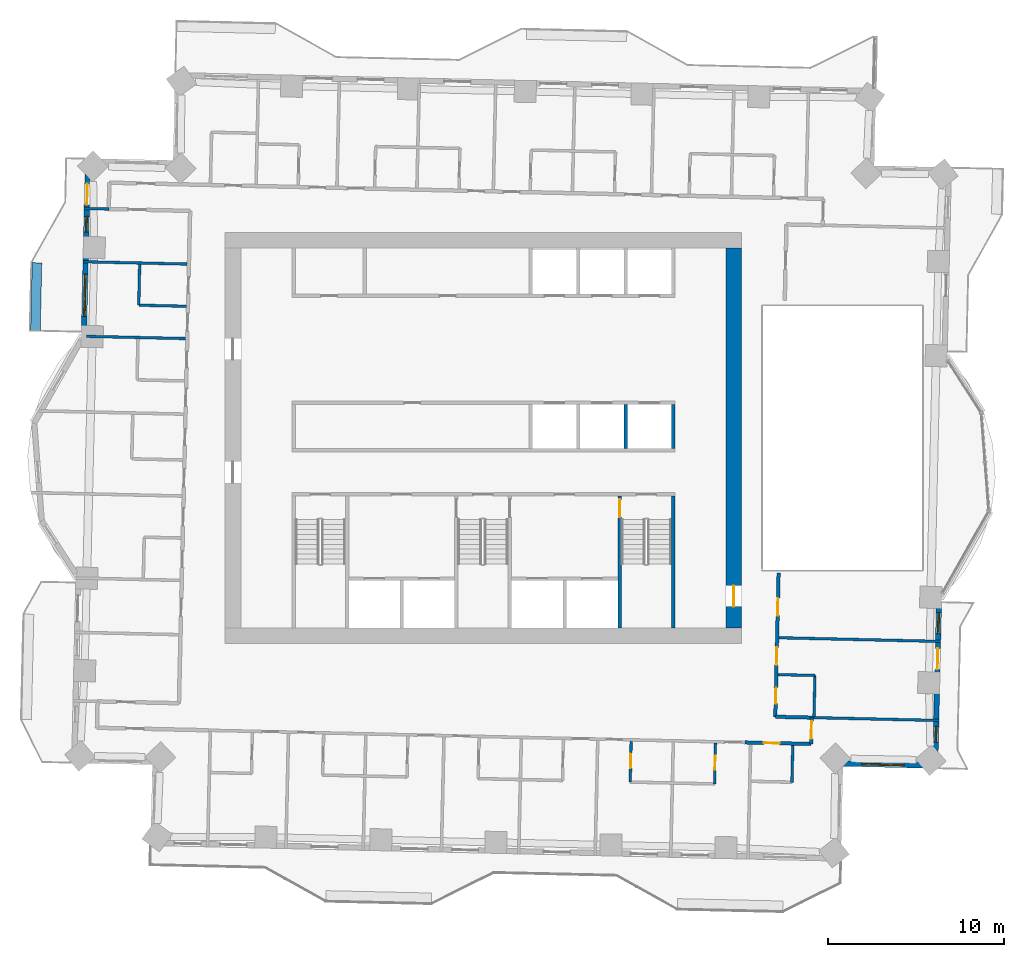
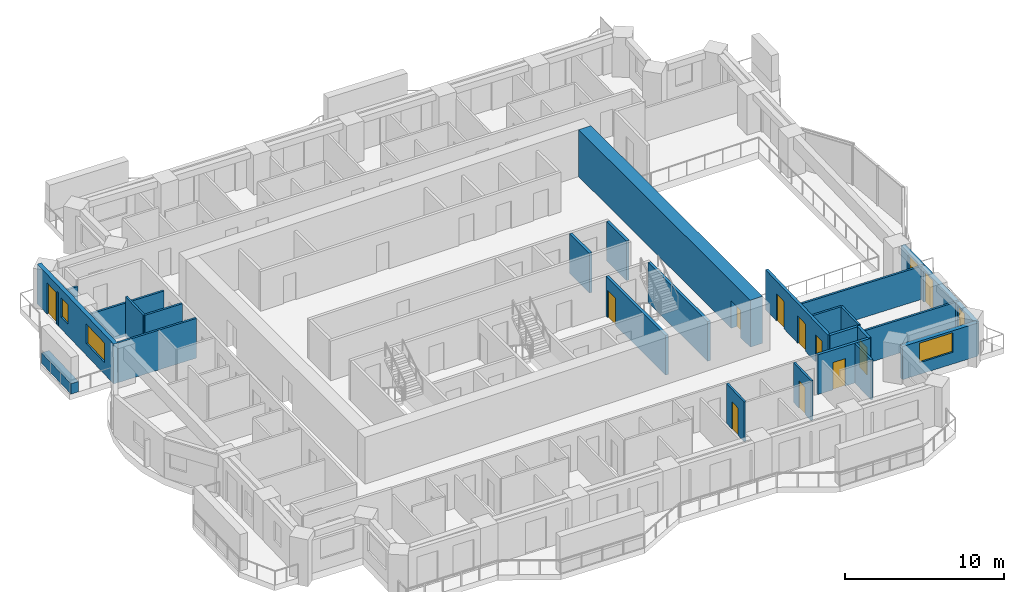
# One storey, part 7 of 14: 25 walls, 11 doors, 5 windows, 16 openings.
"""IFC4 building model written with IfcOpenShell, lengths in metres."""

from ifc_helpers import new_model, si_unit, direction, frame, frame_2d, origin, place, context, subcontext, project, spatial, rectangle, extrude, material, layer, layer_set, type_object, element, fill, save


model = new_model("IFC4")

# Units and contexts
model_context = context("Model", 3, precision=1e-05, world=origin(), true_north=direction((0.0, 1.0)))
body_context = subcontext(model_context, "Body", "Model", "MODEL_VIEW")
ifc_project = project(units=[si_unit("LENGTHUNIT", "METRE"), si_unit("AREAUNIT", "SQUARE_METRE"), si_unit("VOLUMEUNIT", "CUBIC_METRE"), si_unit("PLANEANGLEUNIT", "RADIAN"), si_unit("MASSUNIT", "GRAM", prefix="KILO")], contexts=[model_context])

# Site, building, storey
site_placement = place(None, origin())
site = spatial("IfcSite", under=ifc_project, at=site_placement, CompositionType="ELEMENT")
building_placement = place(site_placement, origin())
building = spatial("IfcBuilding", under=site, at=building_placement, Name="Mangrove Gate Tower", CompositionType="ELEMENT")
storey_placement = place(building_placement, frame((0.0, 0.0, 167.10009765625)))
storey = spatial("IfcBuildingStorey", under=building, at=storey_placement, Name="L42", CompositionType="ELEMENT", Elevation=167.10009765625)

# Walls
ifc_material_1 = material(Name="Concrete C60/75", Category="concrete")
ifc_layer_1 = layer(ifc_material_1, 0.199951171875)
ifc_layer_set_1 = layer_set([ifc_layer_1], Name="Core shaft wall 200 C60/75")
wall_type_1 = type_object("IfcWallType", Name="Core shaft wall 200 C60/75", PredefinedType="SHEAR", material=ifc_layer_set_1)
for number, where, z_axis, x_axis, name in (
    (1, (8.10009765625, -0.60009765625, 0.0), (0.0, 0.0, 1.0), (0.0, 1.0, 0.0), "WALL-L42-CORE-22"),
    (2, (10.800048828125, -0.60009765625, 0.0), (0.0, 0.0, 1.0), (0.0, 1.0, 0.0), "WALL-L42-CORE-23"),
):
    element("IfcWall", number, at=place(storey_placement, frame(where, z_axis=z_axis, x_axis=x_axis)), inside=storey, type_object=wall_type_1, Name=name, PredefinedType="SHEAR", context=body_context, shape_type="SweptSolid", body=[
        extrude(rectangle(XDim=2.5, YDim=0.199951171875, at=frame_2d((1.25, 0.0))), origin(), (0.0, 0.0, 1.0), 3.0498046875),
    ])

# Wall, opening, door
ifc_material_2 = material(Name="Concrete C60/75", Category="concrete")
ifc_layer_2 = layer(ifc_material_2, 0.199951171875)
ifc_layer_set_2 = layer_set([ifc_layer_2], Name="Core stair wall 200 C60/75")
wall_type_2 = type_object("IfcWallType", Name="Core stair wall 200 C60/75", PredefinedType="SHEAR", material=ifc_layer_set_2)
wall_1_placement = place(storey_placement, frame((7.75, -10.800048828125, 0.0), z_axis=(0.0, 0.0, 1.0), x_axis=(0.0, 1.0, 0.0)))
wall_1 = element("IfcWall", 3, at=wall_1_placement, inside=storey, type_object=wall_type_2, Name="WALL-L42-CORE-13", PredefinedType="SHEAR", context=body_context, shape_type="SweptSolid", body=[
    extrude(rectangle(XDim=7.5, YDim=0.199951171875, at=frame_2d((3.75, 0.0))), origin(), (0.0, 0.0, 1.0), 3.0498046875),
])
opening_1_placement = place(wall_1_placement, frame((6.300048828125, 0.0, 0.0)))
opening_1 = element("IfcOpeningElement", 4, at=opening_1_placement, cuts=wall_1, Name="Opening STD10", PredefinedType="OPENING", context=body_context, shape_type="SweptSolid", body=[
    extrude(rectangle(XDim=1.0, YDim=2.10009765625, at=frame_2d((0.5, 1.050048828125))), frame((0.0, 0.10986328125, 0.0), z_axis=(0.0, -1.0, 0.0), x_axis=(1.0, 0.0, 0.0)), (0.0, 0.0, 1.0), 0.219970703125),
])
ifc_material_3 = material(Name="Fire-rated steel door set", Category="steel")
door_type_1 = type_object("IfcDoorType", Name="Stair door FD60 1000x2100", OperationType="SINGLE_SWING_RIGHT", PredefinedType="DOOR", material=ifc_material_3)
door_1_placement = place(opening_1_placement, origin())
door_1 = element("IfcDoor", 5, at=door_1_placement, inside=storey, type_object=door_type_1, Name="Stair door Stair 3 from fire-fighting lobby", OperationType="SINGLE_SWING_RIGHT", OverallHeight=2.10009765625, OverallWidth=1.0, PredefinedType="DOOR", context=body_context, shape_type="SweptSolid", body=[
    extrude(rectangle(XDim=1.0, YDim=2.10009765625, at=frame_2d((0.5, 1.050048828125))), frame((0.0, 0.02490234375, 0.0), z_axis=(0.0, -1.0, 0.0), x_axis=(1.0, 0.0, 0.0)), (0.0, 0.0, 1.0), 0.050048828125),
])
fill(opening_1, door_1)

# Wall
wall_2_placement = place(storey_placement, frame((10.800048828125, -10.800048828125, 0.0), z_axis=(0.0, 0.0, 1.0), x_axis=(0.0, 1.0, 0.0)))
element("IfcWall", 6, at=wall_2_placement, inside=storey, type_object=wall_type_2, Name="WALL-L42-CORE-14", PredefinedType="SHEAR", context=body_context, shape_type="SweptSolid", body=[
    extrude(rectangle(XDim=7.5, YDim=0.199951171875, at=frame_2d((3.75, 0.0))), origin(), (0.0, 0.0, 1.0), 3.0498046875),
])

# Wall, opening, door
ifc_material_4 = material(Name="Concrete C60/75", Category="concrete")
ifc_layer_3 = layer(ifc_material_4, 0.89990234375)
ifc_layer_set_3 = layer_set([ifc_layer_3], Name="Core wall 900 C60/75")
wall_type_3 = type_object("IfcWallType", Name="Core wall 900 C60/75", PredefinedType="SHEAR", material=ifc_layer_set_3)
wall_3_placement = place(storey_placement, frame((14.25, -10.800048828125, 0.0), z_axis=(0.0, 0.0, 1.0), x_axis=(0.0, 1.0, 0.0)))
wall_3 = element("IfcWall", 7, at=wall_3_placement, inside=storey, type_object=wall_type_3, Name="WALL-L42-CORE-4", PredefinedType="SHEAR", context=body_context, shape_type="SweptSolid", body=[
    extrude(rectangle(XDim=21.60009765625, YDim=0.89990234375, at=frame_2d((10.800048828125, 0.0))), origin(), (0.0, 0.0, 1.0), 3.599853515625),
])
opening_2_placement = place(wall_3_placement, frame((1.199951171875, 0.0, 0.0)))
opening_2 = element("IfcOpeningElement", 8, at=opening_2_placement, cuts=wall_3, Name="Opening CD", PredefinedType="OPENING", context=body_context, shape_type="SweptSolid", body=[
    extrude(rectangle(XDim=1.199951171875, YDim=2.10009765625, at=frame_2d((0.60009765625, 1.050048828125))), frame((0.0, 0.4599609375, 0.0), z_axis=(0.0, -1.0, 0.0), x_axis=(1.0, 0.0, 0.0)), (0.0, 0.0, 1.0), 0.919921875),
])
ifc_material_5 = material(Name="Fire-rated steel door set", Category="steel")
door_type_2 = type_object("IfcDoorType", Name="Core ring door FD60 1200x2100", OperationType="DOUBLE_DOOR_SINGLE_SWING", PredefinedType="DOOR", material=ifc_material_5)
door_2_placement = place(opening_2_placement, origin())
door_2 = element("IfcDoor", 9, at=door_2_placement, inside=storey, type_object=door_type_2, Name="Core ring door E1", OperationType="DOUBLE_DOOR_SINGLE_SWING", OverallHeight=2.10009765625, OverallWidth=1.199951171875, PredefinedType="DOOR", context=body_context, shape_type="SweptSolid", body=[
    extrude(rectangle(XDim=1.199951171875, YDim=2.10009765625, at=frame_2d((0.60009765625, 1.050048828125))), frame((0.0, 0.02490234375, 0.0), z_axis=(0.0, -1.0, 0.0), x_axis=(1.0, 0.0, 0.0)), (0.0, 0.0, 1.0), 0.050048828125),
])
fill(opening_2, door_2)

ifc_material_6 = material(Name="Gypsum board on steel stud, EI 60", Category="steel")
ifc_layer_4 = layer(ifc_material_6, 0.199951171875)
ifc_layer_set_4 = layer_set([ifc_layer_4], Name="Corridor wall EI 60")
wall_type_4 = type_object("IfcWallType", Name="Corridor wall EI 60", PredefinedType="PARTITIONING", material=ifc_layer_set_4)
wall_4_placement = place(storey_placement, frame((18.64697265625, -17.4150390625, 0.0), z_axis=(0.0, 0.0, 1.0), x_axis=(0.022617910375, 0.999744182344, 0.0)))
wall_4 = element("IfcWall", 10, at=wall_4_placement, inside=storey, type_object=wall_type_4, Name="WALL-L42-023", PredefinedType="PARTITIONING", context=body_context, shape_type="SweptSolid", body=[
    extrude(rectangle(XDim=1.50048828125, YDim=0.199951171875, at=frame_2d((0.750244140625, 0.0))), origin(), (0.0, 0.0, 1.0), 3.0498046875),
])
opening_3_placement = place(wall_4_placement, frame((0.300048828125, 0.0, 0.0)))
opening_3 = element("IfcOpeningElement", 11, at=opening_3_placement, cuts=wall_4, Name="Opening AD", PredefinedType="OPENING", context=body_context, shape_type="SweptSolid", body=[
    extrude(rectangle(XDim=1.0, YDim=2.10009765625, at=frame_2d((0.5, 1.050048828125))), frame((0.0, 0.10986328125, 0.0), z_axis=(0.0, -1.0, 0.0), x_axis=(1.0, 0.0, 0.0)), (0.0, 0.0, 1.0), 0.219970703125),
])
ifc_material_7 = material(Name="Timber door leaf", Category="wood")
door_type_3 = type_object("IfcDoorType", Name="Amenity door 1000", OperationType="SINGLE_SWING_LEFT", PredefinedType="DOOR", material=ifc_material_7)
door_3_placement = place(opening_3_placement, origin())
door_3 = element("IfcDoor", 12, at=door_3_placement, inside=storey, type_object=door_type_3, Name="DOOR-L42-LNG-c3a", OperationType="SINGLE_SWING_RIGHT", OverallHeight=2.10009765625, OverallWidth=1.0, PredefinedType="DOOR", context=body_context, shape_type="SweptSolid", body=[
    extrude(rectangle(XDim=1.0, YDim=2.10009765625, at=frame_2d((0.5, 1.050048828125))), frame((0.0, 0.02490234375, 0.0), z_axis=(0.0, -1.0, 0.0), x_axis=(1.0, 0.0, 0.0)), (0.0, 0.0, 1.0), 0.050048828125),
])
fill(opening_3, door_3)

wall_5_placement = place(storey_placement, frame((14.8798828125, -17.324951171875, 0.0), z_axis=(0.0, 0.0, 1.0), x_axis=(0.999739622, -0.022818593369, 0.0)))
wall_5 = element("IfcWall", 13, at=wall_5_placement, inside=storey, type_object=wall_type_4, Name="WALL-L42-026", PredefinedType="PARTITIONING", context=body_context, shape_type="SweptSolid", body=[
    extrude(rectangle(XDim=3.76611328125, YDim=0.199951171875, at=frame_2d((1.883056640625, 0.0))), origin(), (0.0, 0.0, 1.0), 3.0498046875),
])
opening_4_placement = place(wall_5_placement, frame((1.077880859375, 0.0, 0.0)))
opening_4 = element("IfcOpeningElement", 14, at=opening_4_placement, cuts=wall_5, Name="Opening SD", PredefinedType="OPENING", context=body_context, shape_type="SweptSolid", body=[
    extrude(rectangle(XDim=0.89990234375, YDim=2.10009765625, at=frame_2d((0.449951171875, 1.050048828125))), frame((0.0, 0.10986328125, 0.0), z_axis=(0.0, -1.0, 0.0), x_axis=(1.0, 0.0, 0.0)), (0.0, 0.0, 1.0), 0.219970703125),
])
ifc_material_8 = material(Name="Timber door leaf", Category="wood")
door_type_4 = type_object("IfcDoorType", Name="Service room door 900", OperationType="SINGLE_SWING_LEFT", PredefinedType="DOOR", material=ifc_material_8)
door_4_placement = place(opening_4_placement, origin())
door_4 = element("IfcDoor", 15, at=door_4_placement, inside=storey, type_object=door_type_4, Name="DOOR-L42-LIN-c3a", OperationType="SINGLE_SWING_LEFT", OverallHeight=2.10009765625, OverallWidth=0.89990234375, PredefinedType="DOOR", context=body_context, shape_type="SweptSolid", body=[
    extrude(rectangle(XDim=0.89990234375, YDim=2.10009765625, at=frame_2d((0.449951171875, 1.050048828125))), frame((0.0, 0.02490234375, 0.0), z_axis=(0.0, -1.0, 0.0), x_axis=(1.0, 0.0, 0.0)), (0.0, 0.0, 1.0), 0.050048828125),
])
fill(opening_4, door_4)

# Wall, openings, doors
wall_6_placement = place(storey_placement, frame((16.611083984375, -15.867919921875, 0.0), z_axis=(0.0, 0.0, 1.0), x_axis=(0.022698399288, 0.999742358145, 0.0)))
wall_6 = element("IfcWall", 16, at=wall_6_placement, inside=storey, type_object=wall_type_4, Name="WALL-L42-028", PredefinedType="PARTITIONING", context=body_context, shape_type="SweptSolid", body=[
    extrude(rectangle(XDim=8.196044921875, YDim=0.199951171875, at=frame_2d((4.09814453125, 0.0))), origin(), (0.0, 0.0, 1.0), 3.0498046875),
])
opening_5_placement = place(wall_6_placement, frame((2.949951171875, 0.0, 0.0)))
opening_5 = element("IfcOpeningElement", 17, at=opening_5_placement, cuts=wall_6, Name="Opening AD", PredefinedType="OPENING", context=body_context, shape_type="SweptSolid", body=[
    extrude(rectangle(XDim=1.0, YDim=2.10009765625, at=frame_2d((0.5, 1.050048828125))), frame((0.0, 0.10986328125, 0.0), z_axis=(0.0, -1.0, 0.0), x_axis=(1.0, 0.0, 0.0)), (0.0, 0.0, 1.0), 0.219970703125),
])
opening_6_placement = place(wall_6_placement, frame((0.75, 0.0, 0.0)))
opening_6 = element("IfcOpeningElement", 18, at=opening_6_placement, cuts=wall_6, Name="Opening SD", PredefinedType="OPENING", context=body_context, shape_type="SweptSolid", body=[
    extrude(rectangle(XDim=0.89990234375, YDim=2.10009765625, at=frame_2d((0.449951171875, 1.050048828125))), frame((0.0, 0.10986328125, 0.0), z_axis=(0.0, -1.0, 0.0), x_axis=(1.0, 0.0, 0.0)), (0.0, 0.0, 1.0), 0.219970703125),
])
opening_7_placement = place(wall_6_placement, frame((5.760986328125, 0.0, 0.0)))
opening_7 = element("IfcOpeningElement", 19, at=opening_7_placement, cuts=wall_6, Name="Opening AD", PredefinedType="OPENING", context=body_context, shape_type="SweptSolid", body=[
    extrude(rectangle(XDim=1.0, YDim=2.10009765625, at=frame_2d((0.5, 1.050048828125))), frame((0.0, 0.10986328125, 0.0), z_axis=(0.0, -1.0, 0.0), x_axis=(1.0, 0.0, 0.0)), (0.0, 0.0, 1.0), 0.219970703125),
])
door_5_placement = place(opening_5_placement, origin())
door_5 = element("IfcDoor", 20, at=door_5_placement, inside=storey, type_object=door_type_3, Name="DOOR-L42-KIT-c3a", OperationType="SINGLE_SWING_LEFT", OverallHeight=2.10009765625, OverallWidth=1.0, PredefinedType="DOOR", context=body_context, shape_type="SweptSolid", body=[
    extrude(rectangle(XDim=1.0, YDim=2.10009765625, at=frame_2d((0.5, 1.050048828125))), frame((0.0, 0.02490234375, 0.0), z_axis=(0.0, -1.0, 0.0), x_axis=(1.0, 0.0, 0.0)), (0.0, 0.0, 1.0), 0.050048828125),
])
fill(opening_5, door_5)
door_6_placement = place(opening_7_placement, origin())
door_6 = element("IfcDoor", 21, at=door_6_placement, inside=storey, type_object=door_type_3, Name="DOOR-L42-STU-c3a", OperationType="SINGLE_SWING_RIGHT", OverallHeight=2.10009765625, OverallWidth=1.0, PredefinedType="DOOR", context=body_context, shape_type="SweptSolid", body=[
    extrude(rectangle(XDim=1.0, YDim=2.10009765625, at=frame_2d((0.5, 1.050048828125))), frame((0.0, 0.02490234375, 0.0), z_axis=(0.0, -1.0, 0.0), x_axis=(1.0, 0.0, 0.0)), (0.0, 0.0, 1.0), 0.050048828125),
])
fill(opening_7, door_6)
door_7_placement = place(opening_6_placement, origin())
door_7 = element("IfcDoor", 22, at=door_7_placement, inside=storey, type_object=door_type_4, Name="DOOR-L42-LIN-c3b", OperationType="SINGLE_SWING_RIGHT", OverallHeight=2.10009765625, OverallWidth=0.89990234375, PredefinedType="DOOR", context=body_context, shape_type="SweptSolid", body=[
    extrude(rectangle(XDim=0.89990234375, YDim=2.10009765625, at=frame_2d((0.449951171875, 1.050048828125))), frame((0.0, 0.02490234375, 0.0), z_axis=(0.0, -1.0, 0.0), x_axis=(1.0, 0.0, 0.0)), (0.0, 0.0, 1.0), 0.050048828125),
])
fill(opening_6, door_7)

# Wall
wall_7_placement = place(storey_placement, frame((16.612060546875, -15.864013671875, 0.0), z_axis=(0.0, 0.0, 1.0), x_axis=(0.999742931749, -0.02267312106, 0.0)))
element("IfcWall", 23, at=wall_7_placement, inside=storey, type_object=wall_type_4, Name="WALL-L42-032", PredefinedType="PARTITIONING", context=body_context, shape_type="SweptSolid", body=[
    extrude(rectangle(XDim=2.0673828125, YDim=0.199951171875, at=frame_2d((1.03369140625, 0.0))), origin(), (0.0, 0.0, 1.0), 3.0498046875),
])

# Wall, openings, door, windows
ifc_material_9 = material(Name="Limestone", Category="masonry")
ifc_layer_5 = layer(ifc_material_9, 0.0400390625, Name="Limestone cladding")
ifc_material_10 = material(Name="Ventilated air gap")
ifc_layer_6 = layer(ifc_material_10, 0.0400390625, Name="Ventilated cavity")
ifc_material_11 = material(Name="Mineral wool insulation")
ifc_layer_7 = layer(ifc_material_11, 0.06005859375, Name="Insulation")
ifc_material_12 = material(Name="Breather membrane")
ifc_layer_8 = layer(ifc_material_12, 0.001953125, Name="Breather membrane")
ifc_material_13 = material(Name="Concrete C20/25 blockwork", Category="masonry")
ifc_layer_9 = layer(ifc_material_13, 0.14990234375, Name="Blockwork backing wall")
ifc_material_14 = material(Name="Gypsum plaster")
ifc_layer_10 = layer(ifc_material_14, 0.008056640625, Name="Internal plaster")
ifc_layer_set_5 = layer_set([ifc_layer_5, ifc_layer_6, ifc_layer_7, ifc_layer_8, ifc_layer_9, ifc_layer_10], Name="External wall 300 limestone cladding")
wall_type_5 = type_object("IfcWallType", Name="External wall 300 limestone cladding", PredefinedType="SOLIDWALL", material=ifc_layer_set_5)
wall_8_placement = place(storey_placement, frame((25.7099609375, -18.65087890625, 0.0), z_axis=(0.0, 0.0, 1.0), x_axis=(0.02274444447, 0.999741311663, 0.0)))
wall_8 = element("IfcWall", 24, at=wall_8_placement, inside=storey, type_object=wall_type_5, Name="WALL-L42-E0", PredefinedType="SOLIDWALL", context=body_context, shape_type="SweptSolid", body=[
    extrude(rectangle(XDim=9.62841796875, YDim=0.300048828125, at=frame_2d((4.814208984375, 0.0))), origin(), (0.0, 0.0, 1.0), 2.5498046875),
])
opening_8_placement = place(wall_8_placement, frame((1.3369140625, 0.0, 0.89990234375)))
opening_8 = element("IfcOpeningElement", 25, at=opening_8_placement, cuts=wall_8, Name="Opening W5", PredefinedType="OPENING", context=body_context, shape_type="SweptSolid", body=[
    extrude(rectangle(XDim=0.89990234375, YDim=1.5, at=frame_2d((0.449951171875, 0.75))), frame((0.0, 0.159912109375, 0.0), z_axis=(0.0, -1.0, 0.0), x_axis=(1.0, 0.0, 0.0)), (0.0, 0.0, 1.0), 0.320068359375),
])
opening_9_placement = place(wall_8_placement, frame((5.48095703125, 0.0, 0.0)))
opening_9 = element("IfcOpeningElement", 26, at=opening_9_placement, cuts=wall_8, Name="Opening BD2", PredefinedType="OPENING", context=body_context, shape_type="SweptSolid", body=[
    extrude(rectangle(XDim=1.199951171875, YDim=2.39990234375, at=frame_2d((0.60009765625, 1.199951171875))), frame((0.0, 0.159912109375, 0.0), z_axis=(0.0, -1.0, 0.0), x_axis=(1.0, 0.0, 0.0)), (0.0, 0.0, 1.0), 0.320068359375),
])
opening_10_placement = place(wall_8_placement, frame((7.511962890625, 0.0, 0.89990234375)))
opening_10 = element("IfcOpeningElement", 27, at=opening_10_placement, cuts=wall_8, Name="Opening W1", PredefinedType="OPENING", context=body_context, shape_type="SweptSolid", body=[
    extrude(rectangle(XDim=1.199951171875, YDim=1.5, at=frame_2d((0.60009765625, 0.75))), frame((0.0, 0.159912109375, 0.0), z_axis=(0.0, -1.0, 0.0), x_axis=(1.0, 0.0, 0.0)), (0.0, 0.0, 1.0), 0.320068359375),
])
ifc_material_15 = material(Name="Aluminium frame with laminated clear glass", Category="aluminium")
door_type_5 = type_object("IfcDoorType", Name="Balcony sliding door 1200x2400", OperationType="SLIDING_TO_LEFT", PredefinedType="DOOR", material=ifc_material_15)
door_8_placement = place(opening_9_placement, origin())
door_8 = element("IfcDoor", 28, at=door_8_placement, inside=storey, type_object=door_type_5, Name="DOOR-L42-E0-2", OperationType="SLIDING_TO_LEFT", OverallHeight=2.39990234375, OverallWidth=1.199951171875, PredefinedType="DOOR", context=body_context, shape_type="SweptSolid", body=[
    extrude(rectangle(XDim=1.199951171875, YDim=2.39990234375, at=frame_2d((0.60009765625, 1.199951171875))), frame((0.0, 0.02490234375, 0.0), z_axis=(0.0, -1.0, 0.0), x_axis=(1.0, 0.0, 0.0)), (0.0, 0.0, 1.0), 0.050048828125),
])
fill(opening_9, door_8)
ifc_material_16 = material(Name="Aluminium frame with double-glazed low-e glass", Category="aluminium")
window_type_1 = type_object("IfcWindowType", Name="Narrow window 900x1500", PartitioningType="SINGLE_PANEL", PredefinedType="WINDOW", material=ifc_material_16)
window_1_placement = place(opening_8_placement, origin())
window_1 = element("IfcWindow", 29, at=window_1_placement, inside=storey, type_object=window_type_1, Name="WIN-L42-E0-1", OverallHeight=1.5, OverallWidth=0.89990234375, PartitioningType="SINGLE_PANEL", PredefinedType="WINDOW", context=body_context, shape_type="SweptSolid", body=[
    extrude(rectangle(XDim=0.89990234375, YDim=1.5, at=frame_2d((0.449951171875, 0.75))), frame((0.0, 0.030029296875, 0.0), z_axis=(0.0, -1.0, 0.0), x_axis=(1.0, 0.0, 0.0)), (0.0, 0.0, 1.0), 0.06005859375),
])
fill(opening_8, window_1)
ifc_material_17 = material(Name="Aluminium frame with double-glazed low-e glass", Category="aluminium")
window_type_2 = type_object("IfcWindowType", Name="Side lite 1200x1500", PartitioningType="SINGLE_PANEL", PredefinedType="WINDOW", material=ifc_material_17)
window_2_placement = place(opening_10_placement, origin())
window_2 = element("IfcWindow", 30, at=window_2_placement, inside=storey, type_object=window_type_2, Name="WIN-L42-E0-3", OverallHeight=1.5, OverallWidth=1.199951171875, PartitioningType="SINGLE_PANEL", PredefinedType="WINDOW", context=body_context, shape_type="SweptSolid", body=[
    extrude(rectangle(XDim=1.199951171875, YDim=1.5, at=frame_2d((0.60009765625, 0.75))), frame((0.0, 0.030029296875, 0.0), z_axis=(0.0, -1.0, 0.0), x_axis=(1.0, 0.0, 0.0)), (0.0, 0.0, 1.0), 0.06005859375),
])
fill(opening_10, window_2)

wall_9_placement = place(storey_placement, frame((-22.5009765625, 15.7509765625, 0.0), z_axis=(0.0, 0.0, 1.0), x_axis=(-0.022737995473, -0.999741458359, 0.0)))
wall_9 = element("IfcWall", 31, at=wall_9_placement, inside=storey, type_object=wall_type_5, Name="WALL-L42-W8", PredefinedType="SOLIDWALL", context=body_context, shape_type="SweptSolid", body=[
    extrude(rectangle(XDim=10.028564453125, YDim=0.300048828125, at=frame_2d((5.01416015625, 0.0))), origin(), (0.0, 0.0, 1.0), 3.0498046875),
])
opening_11_placement = place(wall_9_placement, frame((1.287109375, 0.0, 0.0)))
opening_11 = element("IfcOpeningElement", 32, at=opening_11_placement, cuts=wall_9, Name="Opening BD2", PredefinedType="OPENING", context=body_context, shape_type="SweptSolid", body=[
    extrude(rectangle(XDim=1.199951171875, YDim=2.39990234375, at=frame_2d((0.60009765625, 1.199951171875))), frame((0.0, 0.159912109375, 0.0), z_axis=(0.0, -1.0, 0.0), x_axis=(1.0, 0.0, 0.0)), (0.0, 0.0, 1.0), 0.320068359375),
])
opening_12_placement = place(wall_9_placement, frame((3.14404296875, 0.0, 0.89990234375)))
opening_12 = element("IfcOpeningElement", 33, at=opening_12_placement, cuts=wall_9, Name="Opening W5", PredefinedType="OPENING", context=body_context, shape_type="SweptSolid", body=[
    extrude(rectangle(XDim=0.89990234375, YDim=1.5, at=frame_2d((0.449951171875, 0.75))), frame((0.0, 0.159912109375, 0.0), z_axis=(0.0, -1.0, 0.0), x_axis=(1.0, 0.0, 0.0)), (0.0, 0.0, 1.0), 0.320068359375),
])
opening_13_placement = place(wall_9_placement, frame((6.43701171875, 0.0, 0.89990234375)))
opening_13 = element("IfcOpeningElement", 34, at=opening_13_placement, cuts=wall_9, Name="Opening W2", PredefinedType="OPENING", context=body_context, shape_type="SweptSolid", body=[
    extrude(rectangle(XDim=2.39990234375, YDim=1.5, at=frame_2d((1.199951171875, 0.75))), frame((0.0, 0.159912109375, 0.0), z_axis=(0.0, -1.0, 0.0), x_axis=(1.0, 0.0, 0.0)), (0.0, 0.0, 1.0), 0.320068359375),
])
door_9_placement = place(opening_11_placement, origin())
door_9 = element("IfcDoor", 35, at=door_9_placement, inside=storey, type_object=door_type_5, Name="DOOR-L42-W8-1", OperationType="SLIDING_TO_LEFT", OverallHeight=2.39990234375, OverallWidth=1.199951171875, PredefinedType="DOOR", context=body_context, shape_type="SweptSolid", body=[
    extrude(rectangle(XDim=1.199951171875, YDim=2.39990234375, at=frame_2d((0.60009765625, 1.199951171875))), frame((0.0, 0.02490234375, 0.0), z_axis=(0.0, -1.0, 0.0), x_axis=(1.0, 0.0, 0.0)), (0.0, 0.0, 1.0), 0.050048828125),
])
fill(opening_11, door_9)
ifc_material_18 = material(Name="Aluminium frame with double-glazed low-e glass", Category="aluminium")
window_type_3 = type_object("IfcWindowType", Name="Corner room window 2400x1500", PartitioningType="DOUBLE_PANEL_VERTICAL", PredefinedType="WINDOW", material=ifc_material_18)
window_3_placement = place(opening_13_placement, origin())
window_3 = element("IfcWindow", 36, at=window_3_placement, inside=storey, type_object=window_type_3, Name="WIN-L42-W8-3", OverallHeight=1.5, OverallWidth=2.39990234375, PartitioningType="DOUBLE_PANEL_VERTICAL", PredefinedType="WINDOW", context=body_context, shape_type="SweptSolid", body=[
    extrude(rectangle(XDim=2.39990234375, YDim=1.5, at=frame_2d((1.199951171875, 0.75))), frame((0.0, 0.030029296875, 0.0), z_axis=(0.0, -1.0, 0.0), x_axis=(1.0, 0.0, 0.0)), (0.0, 0.0, 1.0), 0.06005859375),
])
fill(opening_13, window_3)
window_4_placement = place(opening_12_placement, origin())
window_4 = element("IfcWindow", 37, at=window_4_placement, inside=storey, type_object=window_type_1, Name="WIN-L42-W8-2", OverallHeight=1.5, OverallWidth=0.89990234375, PartitioningType="SINGLE_PANEL", PredefinedType="WINDOW", context=body_context, shape_type="SweptSolid", body=[
    extrude(rectangle(XDim=0.89990234375, YDim=1.5, at=frame_2d((0.449951171875, 0.75))), frame((0.0, 0.030029296875, 0.0), z_axis=(0.0, -1.0, 0.0), x_axis=(1.0, 0.0, 0.0)), (0.0, 0.0, 1.0), 0.06005859375),
])
fill(opening_12, window_4)

# Wall, opening, window
wall_10_placement = place(storey_placement, frame((20.31201171875, -18.529052734375, 0.0), z_axis=(0.0, 0.0, 1.0), x_axis=(0.999745417973, -0.02256322766, 0.0)))
wall_10 = element("IfcWall", 38, at=wall_10_placement, inside=storey, type_object=wall_type_5, Name="WALL-L42-S15", PredefinedType="SOLIDWALL", context=body_context, shape_type="SweptSolid", body=[
    extrude(rectangle(XDim=5.3994140625, YDim=0.300048828125, at=frame_2d((2.69970703125, 0.0))), origin(), (0.0, 0.0, 1.0), 2.5498046875),
])
opening_14_placement = place(wall_10_placement, frame((1.219970703125, 0.0, 0.89990234375)))
opening_14 = element("IfcOpeningElement", 39, at=opening_14_placement, cuts=wall_10, Name="Opening W2", PredefinedType="OPENING", context=body_context, shape_type="SweptSolid", body=[
    extrude(rectangle(XDim=2.39990234375, YDim=1.5, at=frame_2d((1.199951171875, 0.75))), frame((0.0, 0.159912109375, 0.0), z_axis=(0.0, -1.0, 0.0), x_axis=(1.0, 0.0, 0.0)), (0.0, 0.0, 1.0), 0.320068359375),
])
window_5_placement = place(opening_14_placement, origin())
window_5 = element("IfcWindow", 40, at=window_5_placement, inside=storey, type_object=window_type_3, Name="WIN-L42-S15-1", OverallHeight=1.5, OverallWidth=2.39990234375, PartitioningType="DOUBLE_PANEL_VERTICAL", PredefinedType="WINDOW", context=body_context, shape_type="SweptSolid", body=[
    extrude(rectangle(XDim=2.39990234375, YDim=1.5, at=frame_2d((1.199951171875, 0.75))), frame((0.0, 0.030029296875, 0.0), z_axis=(0.0, -1.0, 0.0), x_axis=(1.0, 0.0, 0.0)), (0.0, 0.0, 1.0), 0.06005859375),
])
fill(opening_14, window_5)

# Wall, opening, door
ifc_material_19 = material(Name="Gypsum board on steel stud, EI 60", Category="steel")
ifc_layer_11 = layer(ifc_material_19, 0.14990234375)
ifc_layer_set_6 = layer_set([ifc_layer_11], Name="Party wall 150 EI 60")
wall_type_6 = type_object("IfcWallType", Name="Party wall 150 EI 60", PredefinedType="PARTITIONING", material=ifc_layer_set_6)
wall_11_placement = place(storey_placement, frame((8.35498046875, -19.58203125, 0.0), z_axis=(0.0, 0.0, 1.0), x_axis=(0.022781023197, 0.999740478815, 0.0)))
wall_11 = element("IfcWall", 41, at=wall_11_placement, inside=storey, type_object=wall_type_6, Name="WALL-L42-014", PredefinedType="PARTITIONING", context=body_context, shape_type="SweptSolid", body=[
    extrude(rectangle(XDim=2.325439453125, YDim=0.14990234375, at=frame_2d((1.16259765625, 0.0))), origin(), (0.0, 0.0, 1.0), 3.0498046875),
])
opening_15_placement = place(wall_11_placement, frame((0.800048828125, 0.0, 0.0)))
opening_15 = element("IfcOpeningElement", 42, at=opening_15_placement, cuts=wall_11, Name="Opening ED", PredefinedType="OPENING", context=body_context, shape_type="SweptSolid", body=[
    extrude(rectangle(XDim=0.800048828125, YDim=2.10009765625, at=frame_2d((0.39990234375, 1.050048828125))), frame((0.0, 0.0849609375, 0.0), z_axis=(0.0, -1.0, 0.0), x_axis=(1.0, 0.0, 0.0)), (0.0, 0.0, 1.0), 0.169921875),
])
ifc_material_20 = material(Name="Timber door leaf", Category="wood")
door_type_6 = type_object("IfcDoorType", Name="En-suite door 800", OperationType="SINGLE_SWING_LEFT", PredefinedType="DOOR", material=ifc_material_20)
door_10_placement = place(opening_15_placement, origin())
door_10 = element("IfcDoor", 43, at=door_10_placement, inside=storey, type_object=door_type_6, Name="DOOR-L42-ENS-c206", OperationType="SINGLE_SWING_RIGHT", OverallHeight=2.10009765625, OverallWidth=0.800048828125, PredefinedType="DOOR", context=body_context, shape_type="SweptSolid", body=[
    extrude(rectangle(XDim=0.800048828125, YDim=2.10009765625, at=frame_2d((0.39990234375, 1.050048828125))), frame((0.0, 0.02490234375, 0.0), z_axis=(0.0, -1.0, 0.0), x_axis=(1.0, 0.0, 0.0)), (0.0, 0.0, 1.0), 0.050048828125),
])
fill(opening_15, door_10)

wall_12_placement = place(storey_placement, frame((13.154052734375, -19.69091796875, 0.0), z_axis=(0.0, 0.0, 1.0), x_axis=(0.022361308448, 0.999749954681, 0.0)))
wall_12 = element("IfcWall", 44, at=wall_12_placement, inside=storey, type_object=wall_type_6, Name="WALL-L42-015", PredefinedType="PARTITIONING", context=body_context, shape_type="SweptSolid", body=[
    extrude(rectangle(XDim=2.325439453125, YDim=0.14990234375, at=frame_2d((1.16259765625, 0.0))), origin(), (0.0, 0.0, 1.0), 3.0498046875),
])
opening_16_placement = place(wall_12_placement, frame((0.800048828125, 0.0, 0.0)))
opening_16 = element("IfcOpeningElement", 45, at=opening_16_placement, cuts=wall_12, Name="Opening ED", PredefinedType="OPENING", context=body_context, shape_type="SweptSolid", body=[
    extrude(rectangle(XDim=0.800048828125, YDim=2.10009765625, at=frame_2d((0.39990234375, 1.050048828125))), frame((0.0, 0.0849609375, 0.0), z_axis=(0.0, -1.0, 0.0), x_axis=(1.0, 0.0, 0.0)), (0.0, 0.0, 1.0), 0.169921875),
])
door_11_placement = place(opening_16_placement, origin())
door_11 = element("IfcDoor", 46, at=door_11_placement, inside=storey, type_object=door_type_6, Name="DOOR-L42-ENS-c307", OperationType="SINGLE_SWING_LEFT", OverallHeight=2.10009765625, OverallWidth=0.800048828125, PredefinedType="DOOR", context=body_context, shape_type="SweptSolid", body=[
    extrude(rectangle(XDim=0.800048828125, YDim=2.10009765625, at=frame_2d((0.39990234375, 1.050048828125))), frame((0.0, 0.02490234375, 0.0), z_axis=(0.0, -1.0, 0.0), x_axis=(1.0, 0.0, 0.0)), (0.0, 0.0, 1.0), 0.050048828125),
])
fill(opening_16, door_11)

# Walls
wall_13_placement = place(storey_placement, frame((17.556884765625, -19.591064453125, 0.0), z_axis=(0.0, 0.0, 1.0), x_axis=(0.022895647347, 0.999737860308, 0.0)))
element("IfcWall", 47, at=wall_13_placement, inside=storey, type_object=wall_type_6, Name="WALL-L42-020", PredefinedType="PARTITIONING", context=body_context, shape_type="SweptSolid", body=[
    extrude(rectangle(XDim=2.1005859375, YDim=0.14990234375, at=frame_2d((1.05029296875, 0.0))), origin(), (0.0, 0.0, 1.0), 3.0498046875),
])
wall_14_placement = place(storey_placement, frame((18.81201171875, -15.843017578125, 0.0), z_axis=(0.0, 0.0, 1.0), x_axis=(0.02279059109, 0.999740260747, 0.0)))
element("IfcWall", 48, at=wall_14_placement, inside=storey, type_object=wall_type_6, Name="WALL-L42-029", PredefinedType="PARTITIONING", context=body_context, shape_type="SweptSolid", body=[
    extrude(rectangle(XDim=2.324462890625, YDim=0.14990234375, at=frame_2d((1.162109375, 0.0))), origin(), (0.0, 0.0, 1.0), 3.0498046875),
])
wall_15_placement = place(storey_placement, frame((18.675048828125, -15.910888671875, 0.0), z_axis=(0.0, 0.0, 1.0), x_axis=(0.999743624132, -0.022642570706, 0.0)))
element("IfcWall", 49, at=wall_15_placement, inside=storey, type_object=wall_type_6, Name="WALL-L42-033", PredefinedType="PARTITIONING", context=body_context, shape_type="SweptSolid", body=[
    extrude(rectangle(XDim=7.245849609375, YDim=0.14990234375, at=frame_2d((3.623046875, 0.0))), origin(), (0.0, 0.0, 1.0), 2.5498046875),
])
wall_16_placement = place(storey_placement, frame((16.76708984375, -13.467041015625, 0.0), z_axis=(0.0, 0.0, 1.0), x_axis=(0.999740212033, -0.022792727877, 0.0)))
element("IfcWall", 50, at=wall_16_placement, inside=storey, type_object=wall_type_6, Name="WALL-L42-034", PredefinedType="PARTITIONING", context=body_context, shape_type="SweptSolid", body=[
    extrude(rectangle(XDim=2.099365234375, YDim=0.14990234375, at=frame_2d((1.0498046875, 0.0))), origin(), (0.0, 0.0, 1.0), 3.0498046875),
])
wall_17_placement = place(storey_placement, frame((16.81396484375, -11.367919921875, 0.0), z_axis=(0.0, 0.0, 1.0), x_axis=(0.999742492059, -0.02269250035, 0.0)))
element("IfcWall", 51, at=wall_17_placement, inside=storey, type_object=wall_type_6, Name="WALL-L42-036", PredefinedType="PARTITIONING", context=body_context, shape_type="SweptSolid", body=[
    extrude(rectangle(XDim=9.20947265625, YDim=0.14990234375, at=frame_2d((4.604736328125, 0.0))), origin(), (0.0, 0.0, 1.0), 2.5498046875),
])
wall_18_placement = place(storey_placement, frame((-22.577880859375, 5.780029296875, 0.0), z_axis=(0.0, 0.0, 1.0), x_axis=(0.999746200787, -0.022528515532, 0.0)))
element("IfcWall", 52, at=wall_18_placement, inside=storey, type_object=wall_type_6, Name="WALL-L42-046", PredefinedType="PARTITIONING", context=body_context, shape_type="SweptSolid", body=[
    extrude(rectangle(XDim=5.63525390625, YDim=0.14990234375, at=frame_2d((2.817626953125, 0.0))), origin(), (0.0, 0.0, 1.0), 3.0498046875),
])
wall_19_placement = place(storey_placement, frame((-19.60205078125, 7.552978515625, 0.0), z_axis=(0.0, 0.0, 1.0), x_axis=(0.99974458177, -0.022600248254, 0.0)))
element("IfcWall", 53, at=wall_19_placement, inside=storey, type_object=wall_type_6, Name="WALL-L42-047", PredefinedType="PARTITIONING", context=body_context, shape_type="SweptSolid", body=[
    extrude(rectangle(XDim=2.70068359375, YDim=0.14990234375, at=frame_2d((1.350341796875, 0.0))), origin(), (0.0, 0.0, 1.0), 3.0498046875),
])
wall_20_placement = place(storey_placement, frame((-19.60693359375, 7.55810546875, 0.0), z_axis=(0.0, 0.0, 1.0), x_axis=(0.022781023197, 0.999740478815, 0.0)))
element("IfcWall", 54, at=wall_20_placement, inside=storey, type_object=wall_type_6, Name="WALL-L42-048", PredefinedType="PARTITIONING", context=body_context, shape_type="SweptSolid", body=[
    extrude(rectangle(XDim=2.325439453125, YDim=0.14990234375, at=frame_2d((1.16259765625, 0.0))), origin(), (0.0, 0.0, 1.0), 3.0498046875),
])
wall_21_placement = place(storey_placement, frame((-22.781005859375, 10.02587890625, 0.0), z_axis=(0.0, 0.0, 1.0), x_axis=(0.999745855039, -0.022543853533, 0.0)))
element("IfcWall", 55, at=wall_21_placement, inside=storey, type_object=wall_type_6, Name="WALL-L42-050", PredefinedType="PARTITIONING", context=body_context, shape_type="SweptSolid", body=[
    extrude(rectangle(XDim=5.9345703125, YDim=0.14990234375, at=frame_2d((2.96728515625, 0.0))), origin(), (0.0, 0.0, 1.0), 2.5498046875),
])
wall_22_placement = place(storey_placement, frame((-22.712890625, 13.054931640625, 0.0), z_axis=(0.0, 0.0, 1.0), x_axis=(0.999756172383, -0.022081571112, 0.0)))
element("IfcWall", 56, at=wall_22_placement, inside=storey, type_object=wall_type_6, Name="WALL-L42-051", PredefinedType="PARTITIONING", context=body_context, shape_type="SweptSolid", body=[
    extrude(rectangle(XDim=1.404052734375, YDim=0.14990234375, at=frame_2d((0.7021484375, 0.0))), origin(), (0.0, 0.0, 1.0), 2.5498046875),
])
ifc_material_21 = material(Name="Concrete C32/40", Category="concrete")
ifc_layer_12 = layer(ifc_material_21, 0.199951171875, Name="Planter trough wall")
ifc_material_22 = material(Name="Bituminous waterproofing membrane")
ifc_layer_13 = layer(ifc_material_22, 0.0048828125, Name="Waterproofing")
ifc_material_23 = material(Name="Drainage board and gravel")
ifc_layer_14 = layer(ifc_material_23, 0.044921875, Name="Drainage layer")
ifc_material_24 = material(Name="Planting soil")
ifc_layer_15 = layer(ifc_material_24, 0.300048828125, Name="Growing medium")
ifc_layer_set_7 = layer_set([ifc_layer_12, ifc_layer_13, ifc_layer_14, ifc_layer_15], Name="Planter wall 550 C32/40")
wall_type_7 = type_object("IfcWallType", Name="Planter wall 550 C32/40", PredefinedType="USERDEFINED", material=ifc_layer_set_7)
wall_23_placement = place(storey_placement, frame((-25.486083984375, 6.092041015625, 0.0), z_axis=(0.0, 0.0, 1.0), x_axis=(0.022744303924, 0.999741314861, 0.0)))
element("IfcWall", 57, at=wall_23_placement, inside=storey, type_object=wall_type_7, Name="PLANTER L42 W0.1", ObjectType="PLANTER", PredefinedType="USERDEFINED", context=body_context, shape_type="SweptSolid", body=[
    extrude(rectangle(XDim=3.875, YDim=0.550048828125, at=frame_2d((1.9375, 0.0))), origin(), (0.0, 0.0, 1.0), 0.7998046875),
])

save(model, "model.ifc")
